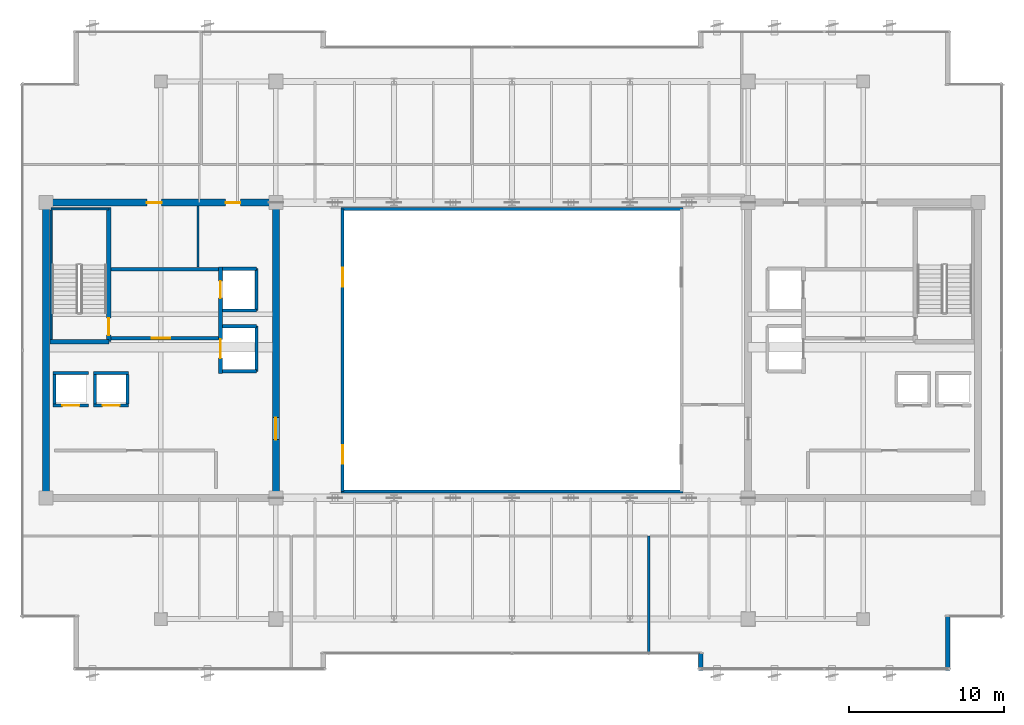
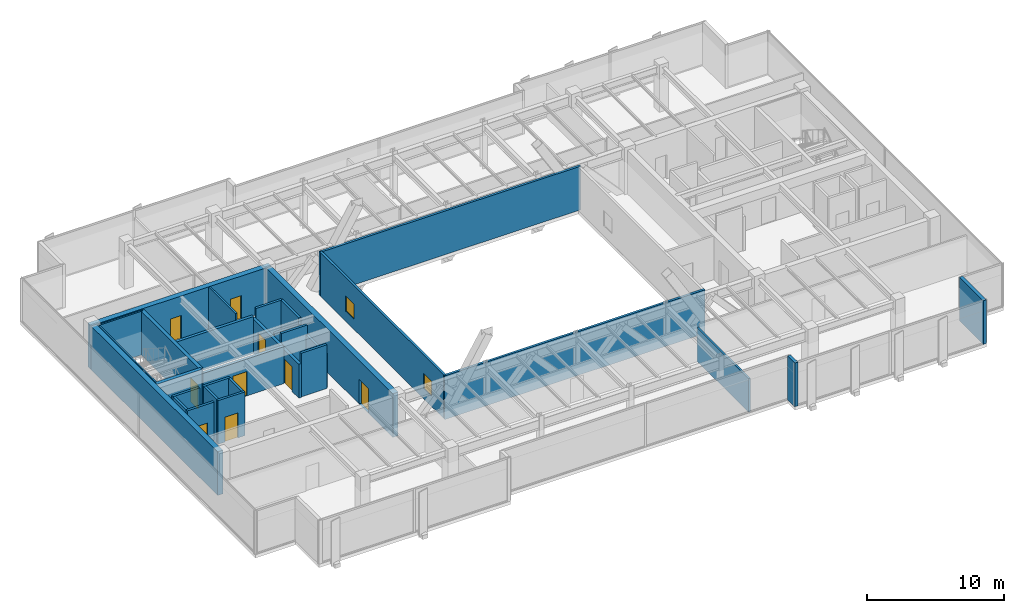
# One storey, part 26 of 32: 30 walls, 9 doors, 2 windows, 11 openings.
"""IFC4 building model written with IfcOpenShell, lengths in metres."""

from ifc_helpers import new_model, si_unit, direction, frame, frame_2d, origin, place, context, subcontext, project, spatial, rectangle, extrude, source, transform, mapped, material, layer, layer_set, type_object, type_shapes, element, fill, save


model = new_model("IFC4")

# Units and contexts
model_context = context("Model", 3, precision=1e-05, world=origin(), true_north=direction((0.0, 1.0)))
body_context = subcontext(model_context, "Body", "Model", "MODEL_VIEW")
ifc_project = project(units=[si_unit("LENGTHUNIT", "METRE"), si_unit("AREAUNIT", "SQUARE_METRE"), si_unit("VOLUMEUNIT", "CUBIC_METRE"), si_unit("PLANEANGLEUNIT", "RADIAN"), si_unit("MASSUNIT", "GRAM", prefix="KILO")], contexts=[model_context])

# Site, building, storey
site_placement = place(None, origin())
site = spatial("IfcSite", under=ifc_project, at=site_placement, CompositionType="ELEMENT")
building_placement = place(site_placement, origin())
building = spatial("IfcBuilding", under=site, at=building_placement, Name="Haelvirn Gate Laboratories", CompositionType="ELEMENT")
storey_placement = place(building_placement, frame((0.0, 0.0, 306.0)))
storey = spatial("IfcBuildingStorey", under=building, at=storey_placement, Name="L73", CompositionType="ELEMENT", Elevation=306.0)

# Walls
ifc_material_1 = material(Name="Thermally-broken bronze aluminium rainscreen & mineral wool", Category="aluminium")
ifc_layer_1 = layer(ifc_material_1, 0.280029296875, Name="EW-TERR-280")
ifc_layer_set_1 = layer_set([ifc_layer_1], Name="Thermally-broken bronze aluminium rainscreen & mineral wool")
wall_type_1 = type_object("IfcWallType", Name="EW-TERR-280", PredefinedType="STANDARD", material=ifc_layer_set_1)
wall_1_placement = place(storey_placement, frame((49.5400390625, 4.79296875, 0.0), z_axis=(0.0, 0.0, 1.0), x_axis=(0.0, -1.0, 0.0)))
element("IfcWall", 1, at=wall_1_placement, inside=storey, type_object=wall_type_1, Name="L73 Atrium Recess Bronze Return Wall 03", PredefinedType="STANDARD", context=body_context, shape_type="SweptSolid", body=[
    extrude(rectangle(XDim=1.093017578125, YDim=0.280029296875, at=frame_2d((0.54638671875, 0.0))), origin(), (0.0, 0.0, 1.0), 3.89990234375),
])
wall_2_placement = place(storey_placement, frame((65.4599609375, 3.699951171875, 0.0), z_axis=(0.0, 0.0, 1.0), x_axis=(0.0, 1.0, 0.0)))
element("IfcWall", 2, at=wall_2_placement, inside=storey, type_object=wall_type_1, Name="L73 Atrium Recess Bronze Return Wall 05", PredefinedType="STANDARD", context=body_context, shape_type="SweptSolid", body=[
    extrude(rectangle(XDim=3.488037109375, YDim=0.280029296875, at=frame_2d((1.744140625, 0.0))), origin(), (0.0, 0.0, 1.0), 3.89990234375),
])
ifc_material_2 = material(Name="Double-layer acoustic gypsum laboratory partition", Category="gypsum")
ifc_layer_2 = layer(ifc_material_2, 0.159912109375, Name="IW-ACOUST-160")
ifc_layer_set_2 = layer_set([ifc_layer_2], Name="Double-layer acoustic gypsum laboratory partition")
wall_type_2 = type_object("IfcWallType", Name="IW-ACOUST-160", PredefinedType="PARTITIONING", material=ifc_layer_set_2)
wall_3_placement = place(storey_placement, frame((46.199951171875, 4.81005859375, 0.0), z_axis=(0.0, 0.0, 1.0), x_axis=(0.0, 1.0, 0.0)))
element("IfcWall", 3, at=wall_3_placement, inside=storey, type_object=wall_type_2, Name="L73 Interior Wall IW-L73-SDIV-02", PredefinedType="PARTITIONING", context=body_context, shape_type="SweptSolid", body=[
    extrude(rectangle(XDim=7.530029296875, YDim=0.159912109375, at=frame_2d((3.76513671875, 0.0))), origin(), (0.0, 0.0, 1.0), 2.985107421875),
])

# Wall, openings, windows
ifc_material_3 = material(Name="Tempered fire-rated borosilicate glass & anodised aluminium", Category="aluminium")
ifc_layer_3 = layer(ifc_material_3, 0.195068359375, Name="IW-GLAZ-200")
ifc_layer_set_3 = layer_set([ifc_layer_3], Name="Tempered fire-rated borosilicate glass & anodised aluminium")
wall_type_3 = type_object("IfcWallType", Name="IW-GLAZ-200", PredefinedType="SOLIDWALL", material=ifc_layer_set_3)
wall_4_placement = place(storey_placement, frame((26.5, 15.199951171875, 0.0), z_axis=(0.0, 0.0, 1.0), x_axis=(0.0, 1.0, 0.0)))
wall_4 = element("IfcWall", 4, at=wall_4_placement, inside=storey, type_object=wall_type_3, Name="L73 Interior Wall IW-L73-ATRIUM-W", PredefinedType="SOLIDWALL", context=body_context, shape_type="SweptSolid", body=[
    extrude(rectangle(XDim=18.199951171875, YDim=0.195068359375, at=frame_2d((9.10009765625, 0.0))), origin(), (0.0, 0.0, 1.0), 3.89990234375),
])
opening_1_placement = place(wall_4_placement, frame((1.800048828125, 0.0, 0.89990234375)))
opening_1 = element("IfcOpeningElement", 5, at=opening_1_placement, cuts=wall_4, Name="Opening W6", PredefinedType="OPENING", context=body_context, shape_type="SweptSolid", body=[
    extrude(rectangle(XDim=1.199951171875, YDim=1.35009765625, at=frame_2d((0.60009765625, 0.675048828125))), frame((0.0, 0.107421875, 0.0), z_axis=(0.0, -1.0, 0.0), x_axis=(1.0, 0.0, 0.0)), (0.0, 0.0, 1.0), 0.215087890625),
])
opening_2_placement = place(wall_4_placement, frame((13.199951171875, 0.0, 0.89990234375)))
opening_2 = element("IfcOpeningElement", 6, at=opening_2_placement, cuts=wall_4, Name="Opening W6", PredefinedType="OPENING", context=body_context, shape_type="SweptSolid", body=[
    extrude(rectangle(XDim=1.199951171875, YDim=1.35009765625, at=frame_2d((0.60009765625, 0.675048828125))), frame((0.0, 0.107421875, 0.0), z_axis=(0.0, -1.0, 0.0), x_axis=(1.0, 0.0, 0.0)), (0.0, 0.0, 1.0), 0.215087890625),
])
ifc_material_4 = material(Name="Fire-rated EI 120 borosilicate atrium vision glazing", Category="glass")
window_type = type_object("IfcWindowType", Name="WN-ATR-1200", PartitioningType="SINGLE_PANEL", PredefinedType="WINDOW", material=ifc_material_4)
shared_shape_1 = source(origin(), body_context, "Body", "SweptSolid", [
    extrude(rectangle(XDim=1.199951171875, YDim=1.35009765625, at=frame_2d((0.60009765625, 0.675048828125))), frame((0.0, 0.030029296875, 0.0), z_axis=(0.0, -1.0, 0.0), x_axis=(1.0, 0.0, 0.0)), (0.0, 0.0, 1.0), 0.06005859375),
])
type_shapes(window_type, [shared_shape_1])
window_1_placement = place(opening_1_placement, origin())
window_1 = element("IfcWindow", 7, at=window_1_placement, inside=storey, type_object=window_type, Name="L73 Atrium Observation Window 1", OverallHeight=1.35009765625, OverallWidth=1.199951171875, PartitioningType="SINGLE_PANEL", PredefinedType="WINDOW", context=body_context, shape_type="MappedRepresentation", body=[
    mapped(shared_shape_1, transform((0.0, 0.0, 0.0), scale=1.0)),
])
fill(opening_1, window_1)
window_2_placement = place(opening_2_placement, origin())
window_2 = element("IfcWindow", 8, at=window_2_placement, inside=storey, type_object=window_type, Name="L73 Atrium Observation Window 2", OverallHeight=1.35009765625, OverallWidth=1.199951171875, PartitioningType="SINGLE_PANEL", PredefinedType="WINDOW", context=body_context, shape_type="MappedRepresentation", body=[
    mapped(shared_shape_1, transform((0.0, 0.0, 0.0), scale=1.0)),
])
fill(opening_2, window_2)

# Walls
for number, where, z_axis, x_axis, name in (
    (9, (26.39990234375, 15.199951171875, 0.0), (0.0, 0.0, 1.0), (1.0, 0.0, 0.0), "L73 Interior Wall IW-L73-ATRIUM-S"),
    (10, (26.39990234375, 33.39990234375, 0.0), (0.0, 0.0, 1.0), (1.0, 0.0, 0.0), "L73 Interior Wall IW-L73-ATRIUM-N"),
):
    element("IfcWall", number, at=place(storey_placement, frame(where, z_axis=z_axis, x_axis=x_axis)), inside=storey, type_object=wall_type_3, Name=name, PredefinedType="SOLIDWALL", context=body_context, shape_type="SweptSolid", body=[
        extrude(rectangle(XDim=22.0, YDim=0.195068359375, at=frame_2d((11.0, 0.0))), origin(), (0.0, 0.0, 1.0), 3.89990234375),
    ])
ifc_material_5 = material(Name="Cement-board restroom plumbing chase wall", Category="gypsum")
ifc_layer_4 = layer(ifc_material_5, 0.155029296875, Name="IW-PLUMB-160")
ifc_layer_set_4 = layer_set([ifc_layer_4], Name="Cement-board restroom plumbing chase wall")
wall_type_4 = type_object("IfcWallType", Name="IW-PLUMB-160", PredefinedType="PLUMBINGWALL", material=ifc_layer_set_4)
wall_5_placement = place(storey_placement, frame((17.18994140625, 29.64990234375, 0.0), z_axis=(0.0, 0.0, 1.0), x_axis=(0.0, 1.0, 0.0)))
element("IfcWall", 11, at=wall_5_placement, inside=storey, type_object=wall_type_4, Name="L73 Interior Wall IW-L73-W-CDIV-1", PredefinedType="PLUMBINGWALL", context=body_context, shape_type="SweptSolid", body=[
    extrude(rectangle(XDim=3.93017578125, YDim=0.155029296875, at=frame_2d((1.965087890625, 0.0))), origin(), (0.0, 0.0, 1.0), 3.89990234375),
])
ifc_material_6 = material(Name="Concrete C40/50", Category="concrete")
ifc_layer_5 = layer(ifc_material_6, 0.179931640625, Name="IW-SHAFT-180")
ifc_layer_set_5 = layer_set([ifc_layer_5], Name="Concrete C40/50")
wall_type_5 = type_object("IfcWallType", Name="IW-SHAFT-180", PredefinedType="SOLIDWALL", material=ifc_layer_set_5)
for number, where, z_axis, x_axis, name in (
    (12, (7.949951171875, 20.85009765625, 0.0), (0.0, 0.0, 1.0), (0.0, 1.0, 0.0), "L73 Interior Wall IW-L73-PL9-SD"),
    (13, (10.550048828125, 20.85009765625, 0.0), (0.0, 0.0, 1.0), (0.0, 1.0, 0.0), "L73 Interior Wall IW-L73-PL10-SD"),
    (14, (12.64990234375, 20.85009765625, 0.0), (0.0, 0.0, 1.0), (0.0, 1.0, 0.0), "L73 Interior Wall IW-L73-PL10-SDE"),
):
    element("IfcWall", number, at=place(storey_placement, frame(where, z_axis=z_axis, x_axis=x_axis)), inside=storey, type_object=wall_type_5, Name=name, PredefinedType="SOLIDWALL", context=body_context, shape_type="SweptSolid", body=[
        extrude(rectangle(XDim=1.89990234375, YDim=0.179931640625, at=frame_2d((0.949951171875, 0.0))), origin(), (0.0, 0.0, 1.0), 3.89990234375),
    ])

# Wall, opening, door
ifc_layer_6 = layer(ifc_material_6, 0.199951171875, Name="IW-SHAFT-200")
ifc_layer_set_6 = layer_set([ifc_layer_6], Name="Concrete C40/50")
wall_type_6 = type_object("IfcWallType", Name="IW-SHAFT-200", PredefinedType="SOLIDWALL", material=ifc_layer_set_6)
wall_6_placement = place(storey_placement, frame((7.8701171875, 20.75, 0.0), z_axis=(0.0, 0.0, 1.0), x_axis=(1.0, 0.0, 0.0)))
wall_6 = element("IfcWall", 15, at=wall_6_placement, inside=storey, type_object=wall_type_6, Name="L73 Interior Wall IW-L73-PL9-FR", PredefinedType="SOLIDWALL", context=body_context, shape_type="SweptSolid", body=[
    extrude(rectangle(XDim=2.259765625, YDim=0.199951171875, at=frame_2d((1.1298828125, 0.0))), origin(), (0.0, 0.0, 1.0), 3.89990234375),
])
opening_3_placement = place(wall_6_placement, frame((0.580078125, 0.0, 0.0)))
opening_3 = element("IfcOpeningElement", 16, at=opening_3_placement, cuts=wall_6, Name="Opening LD2", PredefinedType="OPENING", context=body_context, shape_type="SweptSolid", body=[
    extrude(rectangle(XDim=1.10009765625, YDim=2.219970703125, at=frame_2d((0.550048828125, 1.10986328125))), frame((0.0, 0.10986328125, 0.0), z_axis=(0.0, -1.0, 0.0), x_axis=(1.0, 0.0, 0.0)), (0.0, 0.0, 1.0), 0.219970703125),
])
ifc_material_7 = material(Name="Bronze stainless 316L sliding lift landing door")
door_type_1 = type_object("IfcDoorType", Name="DR-LD-1100", OperationType="NOTDEFINED", PredefinedType="USERDEFINED", material=ifc_material_7)
shared_shape_2 = source(origin(), body_context, "Body", "SweptSolid", [
    extrude(rectangle(XDim=1.10009765625, YDim=2.219970703125, at=frame_2d((0.550048828125, 1.10986328125))), frame((0.0, 0.02490234375, 0.0), z_axis=(0.0, -1.0, 0.0), x_axis=(1.0, 0.0, 0.0)), (0.0, 0.0, 1.0), 0.050048828125),
])
type_shapes(door_type_1, [shared_shape_2])
door_1_placement = place(opening_3_placement, origin())
door_1 = element("IfcDoor", 17, at=door_1_placement, inside=storey, type_object=door_type_1, Name="L73 Passenger Lift PL9 Landing Door", ObjectType="LANDING_DOOR", OperationType="SLIDING_TO_LEFT", OverallHeight=2.219970703125, OverallWidth=1.10009765625, PredefinedType="USERDEFINED", context=body_context, shape_type="MappedRepresentation", body=[
    mapped(shared_shape_2, transform((0.0, 0.0, 0.0), scale=1.0)),
])
fill(opening_3, door_1)

# Wall
wall_7_placement = place(storey_placement, frame((7.8701171875, 22.85009765625, 0.0), z_axis=(0.0, 0.0, 1.0), x_axis=(1.0, 0.0, 0.0)))
element("IfcWall", 18, at=wall_7_placement, inside=storey, type_object=wall_type_6, Name="L73 Interior Wall IW-L73-PL9-BK", PredefinedType="SOLIDWALL", context=body_context, shape_type="SweptSolid", body=[
    extrude(rectangle(XDim=2.259765625, YDim=0.199951171875, at=frame_2d((1.1298828125, 0.0))), origin(), (0.0, 0.0, 1.0), 3.89990234375),
])

# Wall, opening, door
wall_8_placement = place(storey_placement, frame((10.469970703125, 20.75, 0.0), z_axis=(0.0, 0.0, 1.0), x_axis=(1.0, 0.0, 0.0)))
wall_8 = element("IfcWall", 19, at=wall_8_placement, inside=storey, type_object=wall_type_6, Name="L73 Interior Wall IW-L73-PL10-FR", PredefinedType="SOLIDWALL", context=body_context, shape_type="SweptSolid", body=[
    extrude(rectangle(XDim=2.260009765625, YDim=0.199951171875, at=frame_2d((1.1298828125, 0.0))), origin(), (0.0, 0.0, 1.0), 3.89990234375),
])
opening_4_placement = place(wall_8_placement, frame((0.580078125, 0.0, 0.0)))
opening_4 = element("IfcOpeningElement", 20, at=opening_4_placement, cuts=wall_8, Name="Opening LD2", PredefinedType="OPENING", context=body_context, shape_type="SweptSolid", body=[
    extrude(rectangle(XDim=1.10009765625, YDim=2.219970703125, at=frame_2d((0.550048828125, 1.10986328125))), frame((0.0, 0.10986328125, 0.0), z_axis=(0.0, -1.0, 0.0), x_axis=(1.0, 0.0, 0.0)), (0.0, 0.0, 1.0), 0.219970703125),
])
door_2_placement = place(opening_4_placement, origin())
door_2 = element("IfcDoor", 21, at=door_2_placement, inside=storey, type_object=door_type_1, Name="L73 Passenger Lift PL10 Landing Door", ObjectType="LANDING_DOOR", OperationType="SLIDING_TO_RIGHT", OverallHeight=2.219970703125, OverallWidth=1.10009765625, PredefinedType="USERDEFINED", context=body_context, shape_type="MappedRepresentation", body=[
    mapped(shared_shape_2, transform((0.0, 0.0, 0.0), scale=1.0)),
])
fill(opening_4, door_2)

# Walls
wall_9_placement = place(storey_placement, frame((10.469970703125, 22.85009765625, 0.0), z_axis=(0.0, 0.0, 1.0), x_axis=(1.0, 0.0, 0.0)))
element("IfcWall", 22, at=wall_9_placement, inside=storey, type_object=wall_type_6, Name="L73 Interior Wall IW-L73-PL10-BK", PredefinedType="SOLIDWALL", context=body_context, shape_type="SweptSolid", body=[
    extrude(rectangle(XDim=2.260009765625, YDim=0.199951171875, at=frame_2d((1.1298828125, 0.0))), origin(), (0.0, 0.0, 1.0), 3.89990234375),
])
wall_10_placement = place(storey_placement, frame((20.949951171875, 26.85009765625, 0.0), z_axis=(0.0, 0.0, 1.0), x_axis=(0.0, 1.0, 0.0)))
element("IfcWall", 23, at=wall_10_placement, inside=storey, type_object=wall_type_6, Name="L73 Interior Wall IW-L73-FL1-BK", PredefinedType="SOLIDWALL", context=body_context, shape_type="SweptSolid", body=[
    extrude(rectangle(XDim=2.699951171875, YDim=0.199951171875, at=frame_2d((1.35009765625, 0.0))), origin(), (0.0, 0.0, 1.0), 3.89990234375),
])
wall_11_placement = place(storey_placement, frame((18.760009765625, 29.550048828125, 0.0), z_axis=(0.0, 0.0, 1.0), x_axis=(1.0, 0.0, 0.0)))
element("IfcWall", 24, at=wall_11_placement, inside=storey, type_object=wall_type_6, Name="L73 Interior Wall IW-L73-FL1-N", PredefinedType="SOLIDWALL", context=body_context, shape_type="SweptSolid", body=[
    extrude(rectangle(XDim=2.18994140625, YDim=0.199951171875, at=frame_2d((1.094970703125, 0.0))), origin(), (0.0, 0.0, 1.0), 3.89990234375),
])
wall_12_placement = place(storey_placement, frame((18.760009765625, 26.85009765625, 0.0), z_axis=(0.0, 0.0, 1.0), x_axis=(1.0, 0.0, 0.0)))
element("IfcWall", 25, at=wall_12_placement, inside=storey, type_object=wall_type_6, Name="L73 Interior Wall IW-L73-FL1-S", PredefinedType="SOLIDWALL", context=body_context, shape_type="SweptSolid", body=[
    extrude(rectangle(XDim=2.18994140625, YDim=0.199951171875, at=frame_2d((1.094970703125, 0.0))), origin(), (0.0, 0.0, 1.0), 3.297119140625),
])
wall_13_placement = place(storey_placement, frame((20.949951171875, 22.949951171875, 0.0), z_axis=(0.0, 0.0, 1.0), x_axis=(0.0, 1.0, 0.0)))
element("IfcWall", 26, at=wall_13_placement, inside=storey, type_object=wall_type_6, Name="L73 Interior Wall IW-L73-SL1-BK", PredefinedType="SOLIDWALL", context=body_context, shape_type="SweptSolid", body=[
    extrude(rectangle(XDim=2.900146484375, YDim=0.199951171875, at=frame_2d((1.4501953125, 0.0))), origin(), (0.0, 0.0, 1.0), 3.034912109375),
])
for number, where, z_axis, x_axis, name in (
    (27, (18.760009765625, 25.85009765625, 0.0), (0.0, 0.0, 1.0), (1.0, 0.0, 0.0), "L73 Interior Wall IW-L73-SL1-N"),
    (28, (18.760009765625, 22.949951171875, 0.0), (0.0, 0.0, 1.0), (1.0, 0.0, 0.0), "L73 Interior Wall IW-L73-SL1-S"),
):
    element("IfcWall", number, at=place(storey_placement, frame(where, z_axis=z_axis, x_axis=x_axis)), inside=storey, type_object=wall_type_6, Name=name, PredefinedType="SOLIDWALL", context=body_context, shape_type="SweptSolid", body=[
        extrude(rectangle(XDim=2.18994140625, YDim=0.199951171875, at=frame_2d((1.094970703125, 0.0))), origin(), (0.0, 0.0, 1.0), 3.89990234375),
    ])

# Wall, opening, door
ifc_layer_7 = layer(ifc_material_6, 0.239990234375, Name="IW-SHAFT-240")
ifc_layer_set_7 = layer_set([ifc_layer_7], Name="Concrete C40/50")
wall_type_7 = type_object("IfcWallType", Name="IW-SHAFT-240", PredefinedType="SOLIDWALL", material=ifc_layer_set_7)
wall_14_placement = place(storey_placement, frame((11.60009765625, 25.080078125, 0.0), z_axis=(0.0, 0.0, 1.0), x_axis=(1.0, 0.0, 0.0)))
wall_14 = element("IfcWall", 29, at=wall_14_placement, inside=storey, type_object=wall_type_7, Name="L73 Interior Wall IW-L73-W-FF-S", PredefinedType="SOLIDWALL", context=body_context, shape_type="SweptSolid", body=[
    extrude(rectangle(XDim=6.919921875, YDim=0.239990234375, at=frame_2d((3.4599609375, 0.0))), origin(), (0.0, 0.0, 1.0), 3.297119140625),
])
opening_5_placement = place(wall_14_placement, frame((2.60009765625, 0.0, 0.0)))
opening_5 = element("IfcOpeningElement", 30, at=opening_5_placement, cuts=wall_14, Name="Opening FD2", PredefinedType="OPENING", context=body_context, shape_type="SweptSolid", body=[
    extrude(rectangle(XDim=1.199951171875, YDim=2.159912109375, at=frame_2d((0.60009765625, 1.080078125))), frame((0.0, 0.1298828125, 0.0), z_axis=(0.0, -1.0, 0.0), x_axis=(1.0, 0.0, 0.0)), (0.0, 0.0, 1.0), 0.260009765625),
])
ifc_material_8 = material(Name="Fire-rated steel SM355 compartment door", Category="steel")
door_type_2 = type_object("IfcDoorType", Name="DR-FD-1200", OperationType="NOTDEFINED", PredefinedType="DOOR", material=ifc_material_8)
shared_shape_3 = source(origin(), body_context, "Body", "SweptSolid", [
    extrude(rectangle(XDim=1.199951171875, YDim=2.159912109375, at=frame_2d((0.60009765625, 1.080078125))), frame((0.0, 0.02490234375, 0.0), z_axis=(0.0, -1.0, 0.0), x_axis=(1.0, 0.0, 0.0)), (0.0, 0.0, 1.0), 0.050048828125),
])
type_shapes(door_type_2, [shared_shape_3])
door_3_placement = place(opening_5_placement, origin())
door_3 = element("IfcDoor", 31, at=door_3_placement, inside=storey, type_object=door_type_2, Name="L73 West Firefighting Lobby Door", OperationType="SINGLE_SWING_RIGHT", OverallHeight=2.159912109375, OverallWidth=1.199951171875, PredefinedType="DOOR", context=body_context, shape_type="MappedRepresentation", body=[
    mapped(shared_shape_3, transform((0.0, 0.0, 0.0), scale=1.0)),
])
fill(opening_5, door_3)

# Wall
wall_15_placement = place(storey_placement, frame((11.60009765625, 29.52001953125, 0.0), z_axis=(0.0, 0.0, 1.0), x_axis=(1.0, 0.0, 0.0)))
element("IfcWall", 32, at=wall_15_placement, inside=storey, type_object=wall_type_7, Name="L73 Interior Wall IW-L73-W-FF-N", PredefinedType="SOLIDWALL", context=body_context, shape_type="SweptSolid", body=[
    extrude(rectangle(XDim=6.919921875, YDim=0.239990234375, at=frame_2d((3.4599609375, 0.0))), origin(), (0.0, 0.0, 1.0), 3.297119140625),
])

# Wall, openings, doors
wall_16_placement = place(storey_placement, frame((18.639892578125, 22.800048828125, 0.0), z_axis=(0.0, 0.0, 1.0), x_axis=(0.0, 1.0, 0.0)))
wall_16 = element("IfcWall", 33, at=wall_16_placement, inside=storey, type_object=wall_type_7, Name="L73 Interior Wall IW-L73-W-FF-E", PredefinedType="SOLIDWALL", context=body_context, shape_type="SweptSolid", body=[
    extrude(rectangle(XDim=6.849853515625, YDim=0.239990234375, at=frame_2d((3.4248046875, 0.0))), origin(), (0.0, 0.0, 1.0), 3.034912109375),
])
opening_6_placement = place(wall_16_placement, frame((4.85009765625, 0.0, 0.0)))
opening_6 = element("IfcOpeningElement", 34, at=opening_6_placement, cuts=wall_16, Name="Opening LD2", PredefinedType="OPENING", context=body_context, shape_type="SweptSolid", body=[
    extrude(rectangle(XDim=1.10009765625, YDim=2.219970703125, at=frame_2d((0.550048828125, 1.10986328125))), frame((0.0, 0.1298828125, 0.0), z_axis=(0.0, -1.0, 0.0), x_axis=(1.0, 0.0, 0.0)), (0.0, 0.0, 1.0), 0.260009765625),
])
opening_7_placement = place(wall_16_placement, frame((1.0, 0.0, 0.0)))
opening_7 = element("IfcOpeningElement", 35, at=opening_7_placement, cuts=wall_16, Name="Opening LD1", PredefinedType="OPENING", context=body_context, shape_type="SweptSolid", body=[
    extrude(rectangle(XDim=1.199951171875, YDim=2.219970703125, at=frame_2d((0.60009765625, 1.10986328125))), frame((0.0, 0.1298828125, 0.0), z_axis=(0.0, -1.0, 0.0), x_axis=(1.0, 0.0, 0.0)), (0.0, 0.0, 1.0), 0.260009765625),
])
door_4_placement = place(opening_6_placement, origin())
door_4 = element("IfcDoor", 36, at=door_4_placement, inside=storey, type_object=door_type_1, Name="L73 Firefighting Lift FL1 Landing Door", ObjectType="LANDING_DOOR", OperationType="SLIDING_TO_LEFT", OverallHeight=2.219970703125, OverallWidth=1.10009765625, PredefinedType="USERDEFINED", context=body_context, shape_type="MappedRepresentation", body=[
    mapped(shared_shape_2, transform((0.0, 0.0, 0.0), scale=1.0)),
])
fill(opening_6, door_4)
ifc_material_9 = material(Name="Stainless steel 316L sliding goods landing door", Category="steel")
door_type_3 = type_object("IfcDoorType", Name="DR-LD-1200", OperationType="NOTDEFINED", PredefinedType="USERDEFINED", material=ifc_material_9)
shared_shape_4 = source(origin(), body_context, "Body", "SweptSolid", [
    extrude(rectangle(XDim=1.199951171875, YDim=2.219970703125, at=frame_2d((0.60009765625, 1.10986328125))), frame((0.0, 0.02490234375, 0.0), z_axis=(0.0, -1.0, 0.0), x_axis=(1.0, 0.0, 0.0)), (0.0, 0.0, 1.0), 0.050048828125),
])
type_shapes(door_type_3, [shared_shape_4])
door_5_placement = place(opening_7_placement, origin())
door_5 = element("IfcDoor", 37, at=door_5_placement, inside=storey, type_object=door_type_3, Name="L73 Service Lift SL1 Landing Door", ObjectType="LANDING_DOOR", OperationType="SLIDING_TO_RIGHT", OverallHeight=2.219970703125, OverallWidth=1.199951171875, PredefinedType="USERDEFINED", context=body_context, shape_type="MappedRepresentation", body=[
    mapped(shared_shape_4, transform((0.0, 0.0, 0.0), scale=1.0)),
])
fill(opening_7, door_5)

ifc_material_10 = material(Name="Concrete C50/60", Category="concrete")
ifc_layer_8 = layer(ifc_material_10, 0.449951171875, Name="SW-CORE-450")
ifc_layer_set_8 = layer_set([ifc_layer_8], Name="Concrete C50/60")
wall_type_8 = type_object("IfcWallType", Name="SW-CORE-450", PredefinedType="SHEAR", material=ifc_layer_set_8)
wall_17_placement = place(storey_placement, frame((7.175048828125, 33.800048828125, 0.0), z_axis=(0.0, 0.0, 1.0), x_axis=(1.0, 0.0, 0.0)))
wall_17 = element("IfcWall", 38, at=wall_17_placement, inside=storey, type_object=wall_type_8, Name="L73 W Core Shear Wall N", PredefinedType="SHEAR", context=body_context, shape_type="SweptSolid", body=[
    extrude(rectangle(XDim=15.25, YDim=0.449951171875, at=frame_2d((7.625, 0.0))), origin(), (0.0, 0.0, 1.0), 3.89990234375),
])
opening_8_placement = place(wall_17_placement, frame((6.72509765625, 0.0, 0.0)))
opening_8 = element("IfcOpeningElement", 39, at=opening_8_placement, cuts=wall_17, Name="Opening FD4", PredefinedType="OPENING", context=body_context, shape_type="SweptSolid", body=[
    extrude(rectangle(XDim=0.949951171875, YDim=2.14990234375, at=frame_2d((0.47509765625, 1.074951171875))), frame((0.0, 0.23486328125, 0.0), z_axis=(0.0, -1.0, 0.0), x_axis=(1.0, 0.0, 0.0)), (0.0, 0.0, 1.0), 0.469970703125),
])
opening_9_placement = place(wall_17_placement, frame((11.7900390625, 0.0, 0.0)))
opening_9 = element("IfcOpeningElement", 40, at=opening_9_placement, cuts=wall_17, Name="Opening FD4", PredefinedType="OPENING", context=body_context, shape_type="SweptSolid", body=[
    extrude(rectangle(XDim=0.949951171875, YDim=2.14990234375, at=frame_2d((0.47509765625, 1.074951171875))), frame((0.0, 0.23486328125, 0.0), z_axis=(0.0, -1.0, 0.0), x_axis=(1.0, 0.0, 0.0)), (0.0, 0.0, 1.0), 0.469970703125),
])
ifc_material_11 = material(Name="Fire-rated steel SM355 core service door", Category="steel")
door_type_4 = type_object("IfcDoorType", Name="DR-FD-950", OperationType="NOTDEFINED", PredefinedType="DOOR", material=ifc_material_11)
shared_shape_5 = source(origin(), body_context, "Body", "SweptSolid", [
    extrude(rectangle(XDim=0.949951171875, YDim=2.14990234375, at=frame_2d((0.47509765625, 1.074951171875))), frame((0.0, 0.02490234375, 0.0), z_axis=(0.0, -1.0, 0.0), x_axis=(1.0, 0.0, 0.0)), (0.0, 0.0, 1.0), 0.050048828125),
])
type_shapes(door_type_4, [shared_shape_5])
door_6_placement = place(opening_8_placement, origin())
door_6 = element("IfcDoor", 41, at=door_6_placement, inside=storey, type_object=door_type_4, Name="L73 All-Gender Multi-Stall Restroom Fire Door", OperationType="SINGLE_SWING_RIGHT", OverallHeight=2.14990234375, OverallWidth=0.949951171875, PredefinedType="DOOR", context=body_context, shape_type="MappedRepresentation", body=[
    mapped(shared_shape_5, transform((0.0, 0.0, 0.0), scale=1.0)),
])
fill(opening_8, door_6)
door_7_placement = place(opening_9_placement, origin())
door_7 = element("IfcDoor", 42, at=door_7_placement, inside=storey, type_object=door_type_4, Name="L73 Accessible Restroom Fire Door", OperationType="SINGLE_SWING_LEFT", OverallHeight=2.14990234375, OverallWidth=0.949951171875, PredefinedType="DOOR", context=body_context, shape_type="MappedRepresentation", body=[
    mapped(shared_shape_5, transform((0.0, 0.0, 0.0), scale=1.0)),
])
fill(opening_9, door_7)

# Wall
wall_18_placement = place(storey_placement, frame((7.39990234375, 15.02490234375, 0.0), z_axis=(0.0, 0.0, 1.0), x_axis=(0.0, 1.0, 0.0)))
element("IfcWall", 43, at=wall_18_placement, inside=storey, type_object=wall_type_8, Name="L73 W Core Shear Wall W", PredefinedType="SHEAR", context=body_context, shape_type="SweptSolid", body=[
    extrude(rectangle(XDim=18.550048828125, YDim=0.449951171875, at=frame_2d((9.27490234375, 0.0))), origin(), (0.0, 0.0, 1.0), 3.89990234375),
])

# Wall, opening, door
wall_19_placement = place(storey_placement, frame((22.199951171875, 15.02490234375, 0.0), z_axis=(0.0, 0.0, 1.0), x_axis=(0.0, 1.0, 0.0)))
wall_19 = element("IfcWall", 44, at=wall_19_placement, inside=storey, type_object=wall_type_8, Name="L73 W Core Shear Wall E", PredefinedType="SHEAR", context=body_context, shape_type="SweptSolid", body=[
    extrude(rectangle(XDim=18.550048828125, YDim=0.449951171875, at=frame_2d((9.27490234375, 0.0))), origin(), (0.0, 0.0, 1.0), 3.89990234375),
])
opening_10_placement = place(wall_19_placement, frame((3.52490234375, 0.0, 0.0)))
opening_10 = element("IfcOpeningElement", 45, at=opening_10_placement, cuts=wall_19, Name="Opening FD1", PredefinedType="OPENING", context=body_context, shape_type="SweptSolid", body=[
    extrude(rectangle(XDim=1.419921875, YDim=2.199951171875, at=frame_2d((0.7099609375, 1.10009765625))), frame((0.0, 0.23486328125, 0.0), z_axis=(0.0, -1.0, 0.0), x_axis=(1.0, 0.0, 0.0)), (0.0, 0.0, 1.0), 0.469970703125),
])
ifc_material_12 = material(Name="Fire-rated double steel SM355 lobby door", Category="steel")
door_type_5 = type_object("IfcDoorType", Name="DR-FD-1400", OperationType="NOTDEFINED", PredefinedType="DOOR", material=ifc_material_12)
shared_shape_6 = source(origin(), body_context, "Body", "SweptSolid", [
    extrude(rectangle(XDim=1.419921875, YDim=2.199951171875, at=frame_2d((0.7099609375, 1.10009765625))), frame((0.0, 0.02490234375, 0.0), z_axis=(0.0, -1.0, 0.0), x_axis=(1.0, 0.0, 0.0)), (0.0, 0.0, 1.0), 0.050048828125),
])
type_shapes(door_type_5, [shared_shape_6])
door_8_placement = place(opening_10_placement, origin())
door_8 = element("IfcDoor", 46, at=door_8_placement, inside=storey, type_object=door_type_5, Name="L73 West Core Lift Lobby Fire Door", OperationType="DOUBLE_DOOR_SINGLE_SWING", OverallHeight=2.199951171875, OverallWidth=1.419921875, PredefinedType="DOOR", context=body_context, shape_type="MappedRepresentation", body=[
    mapped(shared_shape_6, transform((0.0, 0.0, 0.0), scale=1.0)),
])
fill(opening_10, door_8)

# Walls
ifc_layer_9 = layer(ifc_material_10, 0.1201171875, Name="SW-LINER-120")
ifc_layer_set_9 = layer_set([ifc_layer_9], Name="Concrete C50/60")
wall_type_9 = type_object("IfcWallType", Name="SW-LINER-120", PredefinedType="SOLIDWALL", material=ifc_layer_set_9)
wall_20_placement = place(storey_placement, frame((7.72998046875, 33.39990234375, 0.0), z_axis=(0.0, 0.0, 1.0), x_axis=(1.0, 0.0, 0.0)))
element("IfcWall", 47, at=wall_20_placement, inside=storey, type_object=wall_type_9, Name="L73 W Core Stair Shaft Liner Wall N", PredefinedType="SOLIDWALL", context=body_context, shape_type="SweptSolid", body=[
    extrude(rectangle(XDim=3.719970703125, YDim=0.1201171875, at=frame_2d((1.85986328125, 0.0))), origin(), (0.0, 0.0, 1.0), 3.89990234375),
])
wall_21_placement = place(storey_placement, frame((7.72998046875, 25.0, 0.0), z_axis=(0.0, 0.0, 1.0), x_axis=(0.0, 1.0, 0.0)))
element("IfcWall", 48, at=wall_21_placement, inside=storey, type_object=wall_type_9, Name="L73 W Core Stair Shaft Liner Wall OUT", PredefinedType="SOLIDWALL", context=body_context, shape_type="SweptSolid", body=[
    extrude(rectangle(XDim=8.320068359375, YDim=0.1201171875, at=frame_2d((4.16015625, 0.0))), origin(), (0.0, 0.0, 1.0), 3.89990234375),
])

# Wall, opening, door
ifc_layer_10 = layer(ifc_material_10, 0.300048828125, Name="SW-STAIR-300")
ifc_layer_set_10 = layer_set([ifc_layer_10], Name="Concrete C50/60")
wall_type_10 = type_object("IfcWallType", Name="SW-STAIR-300", PredefinedType="SHEAR", material=ifc_layer_set_10)
wall_22_placement = place(storey_placement, frame((11.449951171875, 24.85009765625, 0.0), z_axis=(0.0, 0.0, 1.0), x_axis=(0.0, 1.0, 0.0)))
wall_22 = element("IfcWall", 49, at=wall_22_placement, inside=storey, type_object=wall_type_10, Name="L73 W Core Stair Shaft Structural Wall IN", PredefinedType="SHEAR", context=body_context, shape_type="SweptSolid", body=[
    extrude(rectangle(XDim=8.6298828125, YDim=0.300048828125, at=frame_2d((4.31494140625, 0.0))), origin(), (0.0, 0.0, 1.0), 3.89990234375),
])
opening_11_placement = place(wall_22_placement, frame((0.419921875, 0.0, 0.0)))
opening_11 = element("IfcOpeningElement", 50, at=opening_11_placement, cuts=wall_22, Name="Opening FD3", PredefinedType="OPENING", context=body_context, shape_type="SweptSolid", body=[
    extrude(rectangle(XDim=1.10009765625, YDim=2.14990234375, at=frame_2d((0.550048828125, 1.074951171875))), frame((0.0, 0.16015625, 0.0), z_axis=(0.0, -1.0, 0.0), x_axis=(1.0, 0.0, 0.0)), (0.0, 0.0, 1.0), 0.320068359375),
])
ifc_material_13 = material(Name="Fire-rated steel SM355 escape stair door", Category="steel")
door_type_6 = type_object("IfcDoorType", Name="DR-FD-1100", OperationType="NOTDEFINED", PredefinedType="DOOR", material=ifc_material_13)
shared_shape_7 = source(origin(), body_context, "Body", "SweptSolid", [
    extrude(rectangle(XDim=1.10009765625, YDim=2.14990234375, at=frame_2d((0.550048828125, 1.074951171875))), frame((0.0, 0.02490234375, 0.0), z_axis=(0.0, -1.0, 0.0), x_axis=(1.0, 0.0, 0.0)), (0.0, 0.0, 1.0), 0.050048828125),
])
type_shapes(door_type_6, [shared_shape_7])
door_9_placement = place(opening_11_placement, origin())
door_9 = element("IfcDoor", 51, at=door_9_placement, inside=storey, type_object=door_type_6, Name="L73 Escape Stair ST1 Fire Door", OperationType="SINGLE_SWING_LEFT", OverallHeight=2.14990234375, OverallWidth=1.10009765625, PredefinedType="DOOR", context=body_context, shape_type="MappedRepresentation", body=[
    mapped(shared_shape_7, transform((0.0, 0.0, 0.0), scale=1.0)),
])
fill(opening_11, door_9)

# Wall
wall_23_placement = place(storey_placement, frame((7.64990234375, 24.85009765625, 0.0), z_axis=(0.0, 0.0, 1.0), x_axis=(1.0, 0.0, 0.0)))
element("IfcWall", 52, at=wall_23_placement, inside=storey, type_object=wall_type_10, Name="L73 W Core Stair Shaft Structural Wall S", PredefinedType="SHEAR", context=body_context, shape_type="SweptSolid", body=[
    extrude(rectangle(XDim=3.800048828125, YDim=0.300048828125, at=frame_2d((1.89990234375, 0.0))), origin(), (0.0, 0.0, 1.0), 3.89990234375),
])

save(model, "model.ifc")
